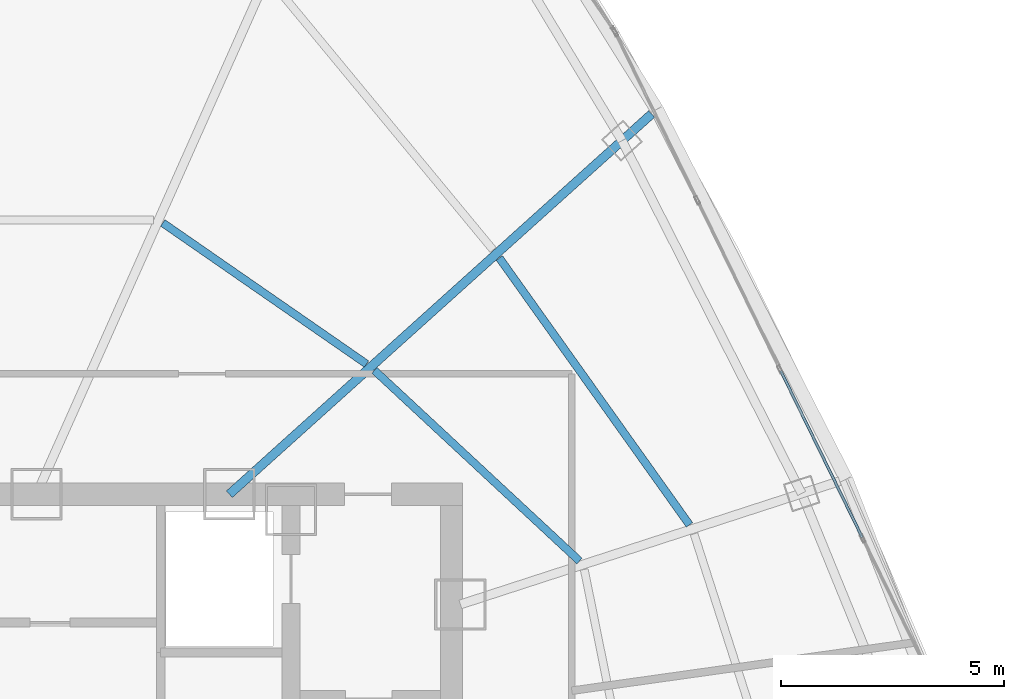
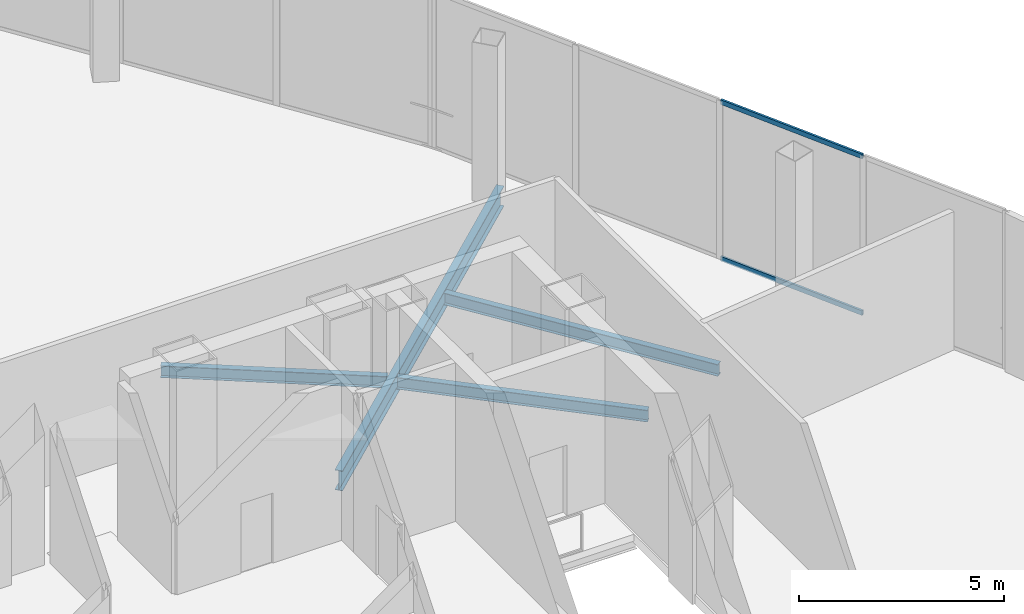
# One storey, part 19 of 32: 4 beams, 2 members, 1 element without a shape of its own.
"""IFC4 building model written with IfcOpenShell, lengths in metres."""

import ifcopenshell
import ifcopenshell.guid

model = None  # the IFC model being written
_history = None  # IfcOwnerHistory: only IFC2X3 demands one
_inside = {}  # id of a spatial element -> (the spatial element, [elements in it])
_under = {}  # id of a project, library or spatial element -> (it, [spatial elements below it])
_declared = {}  # id of a project -> (the project, [libraries it declares])
_typed = {}  # id of a type object -> (the type object, [elements of that type])
_made_of = {}  # id of a material, layer set ... -> (it, [elements and type objects made of it])


def new_model(schema):
    """Start an empty IFC model of exactly this schema.

    Asked for "IFC4X3", IfcOpenShell would pick the latest addendum, in which some entities
    have other attributes; the version numbers below select the first issue.
    IFC2X3 requires an IfcOwnerHistory on every rooted entity: one is made here for all.
    """
    global model, _history
    if schema == "IFC4X3":
        model = ifcopenshell.file(schema_version=(4, 3, 0, 0))
    else:
        model = ifcopenshell.file(schema=schema)
    _inside.clear()
    _under.clear()
    _declared.clear()
    _typed.clear()
    _made_of.clear()
    _history = None
    if model.schema == "IFC2X3":
        org = make("IfcOrganization", Name="unknown")
        user = make(
            "IfcPersonAndOrganization",
            ThePerson=make("IfcPerson", FamilyName="unknown"),
            TheOrganization=org,
        )
        app = make(
            "IfcApplication",
            ApplicationDeveloper=org,
            Version="unknown",
            ApplicationFullName="unknown",
            ApplicationIdentifier="unknown",
        )
        _history = make(
            "IfcOwnerHistory",
            OwningUser=user,
            OwningApplication=app,
            ChangeAction="ADDED",
            CreationDate=0,
        )
    return model


def make(cls, **values):
    """One entity of the class cls with the attributes given. An attribute that is None is left unset."""
    return model.create_entity(
        cls, **{name: value for name, value in values.items() if value is not None}
    )


def rooted(cls, **values):
    """An entity with a GlobalId (a new one), such as an element, a storey or a relation."""
    return make(cls, GlobalId=ifcopenshell.guid.new(), OwnerHistory=_history, **values)


def si_unit(unit_type, name, prefix=None):
    """IfcSIUnit, for example si_unit("LENGTHUNIT", "METRE", prefix="MILLI")."""
    return make("IfcSIUnit", UnitType=unit_type, Prefix=prefix, Name=name)


def assignment(units):
    """IfcUnitAssignment: the units of a project."""
    return None if units is None else make("IfcUnitAssignment", Units=units)


def point(xyz):
    """IfcCartesianPoint."""
    return None if xyz is None else make("IfcCartesianPoint", Coordinates=xyz)


def direction(xyz):
    """IfcDirection."""
    return None if xyz is None else make("IfcDirection", DirectionRatios=xyz)


def frame(location, z_axis=None, x_axis=None):
    """IfcAxis2Placement3D, a coordinate frame: its origin and axes. An axis left out is left unset."""
    return make(
        "IfcAxis2Placement3D",
        Location=point(location),
        Axis=direction(z_axis),
        RefDirection=direction(x_axis),
    )


def frame_2d(location, x_axis=None):
    """IfcAxis2Placement2D, a coordinate frame in the plane: its origin and x axis."""
    return make(
        "IfcAxis2Placement2D", Location=point(location), RefDirection=direction(x_axis)
    )


def origin():
    """The frame at (0, 0, 0) with its axes left unset."""
    return frame((0.0, 0.0, 0.0))


def origin_2d():
    """The frame at (0, 0) in the plane with its x axis left unset."""
    return frame_2d((0.0, 0.0))


def place(relative_to, where):
    """IfcLocalPlacement: puts the frame where relative to a parent placement (None: the world)."""
    return make(
        "IfcLocalPlacement", PlacementRelTo=relative_to, RelativePlacement=where
    )


def context(
    kind, dimensions, precision=None, world=None, true_north=None, identifier=None
):
    """IfcGeometricRepresentationContext, for example the 3D "Model" context."""
    return make(
        "IfcGeometricRepresentationContext",
        ContextIdentifier=identifier,
        ContextType=kind,
        CoordinateSpaceDimension=dimensions,
        Precision=precision,
        WorldCoordinateSystem=world,
        TrueNorth=true_north,
    )


def subcontext(parent, identifier, kind, view, scale=None):
    """IfcGeometricRepresentationSubContext, for example "Body" below "Model"."""
    return make(
        "IfcGeometricRepresentationSubContext",
        ContextIdentifier=identifier,
        ContextType=kind,
        ParentContext=parent,
        TargetScale=scale,
        TargetView=view,
    )


def project(units=None, contexts=None):
    """IfcProject with its units and contexts."""
    return rooted(
        "IfcProject",
        Name="project",
        RepresentationContexts=contexts,
        UnitsInContext=assignment(units),
    )


def spatial(cls, under=None, at=None, **own):
    """A site, building, storey or space (cls), placed at a placement, below another one or the project."""
    s = rooted(cls, ObjectPlacement=at, **own)
    if under is not None:
        _under.setdefault(under.id(), (under, []))[1].append(s)
    return s


def profile(cls, at=None, kind="AREA", **sizes):
    """A parametric profile (cls). Its sizes go by their IFC names, for example OverallWidth=200.0."""
    return make(cls, ProfileType=kind, Position=at, **sizes)


def hollow_rectangle(**sizes):
    """IfcRectangleHollowProfileDef."""
    return profile("IfcRectangleHollowProfileDef", **sizes)


def i_section(**sizes):
    """IfcIShapeProfileDef."""
    return profile("IfcIShapeProfileDef", **sizes)


def extrude(swept, where, along, depth):
    """IfcExtrudedAreaSolid: the profile swept, set in the frame where, extruded along a direction by depth."""
    return make(
        "IfcExtrudedAreaSolid",
        SweptArea=swept,
        Position=where,
        ExtrudedDirection=direction(along),
        Depth=depth,
    )


def shape(context_of_items, identifier, shape_type, items):
    """IfcShapeRepresentation: the items that make up one representation, for example the "Body"."""
    return make(
        "IfcShapeRepresentation",
        ContextOfItems=context_of_items,
        RepresentationIdentifier=identifier,
        RepresentationType=shape_type,
        Items=items,
    )


def source(mapping_origin, context_of_items, identifier, shape_type, items):
    """IfcRepresentationMap: a shape defined once, which mapped items show again and again."""
    return make(
        "IfcRepresentationMap",
        MappingOrigin=mapping_origin,
        MappedRepresentation=shape(context_of_items, identifier, shape_type, items),
    )


def transform(
    local_origin,
    x_axis=None,
    y_axis=None,
    z_axis=None,
    scale=None,
    scale2=None,
    scale3=None,
    uniform=True,
):
    """IfcCartesianTransformationOperator3D, or its non-uniform kind. x_axis, y_axis, z_axis: its Axis1, 2, 3."""
    if uniform:
        return make(
            "IfcCartesianTransformationOperator3D",
            Axis1=direction(x_axis),
            Axis2=direction(y_axis),
            LocalOrigin=point(local_origin),
            Scale=scale,
            Axis3=direction(z_axis),
        )
    return make(
        "IfcCartesianTransformationOperator3DnonUniform",
        Axis1=direction(x_axis),
        Axis2=direction(y_axis),
        LocalOrigin=point(local_origin),
        Scale=scale,
        Axis3=direction(z_axis),
        Scale2=scale2,
        Scale3=scale3,
    )


def mapped(mapping_source, mapping_target):
    """IfcMappedItem: shows the shape of a source again, moved by a transform."""
    return make(
        "IfcMappedItem", MappingSource=mapping_source, MappingTarget=mapping_target
    )


def material(Name=None, Category=None):
    """IfcMaterial."""
    return make("IfcMaterial", Name=Name, Category=Category)


def layer(
    of_material, thickness, ventilated=None, Name=None, Category=None, Priority=None
):
    """IfcMaterialLayer: one layer of a wall or slab, of a material (None: an air gap)."""
    return make(
        "IfcMaterialLayer",
        Material=of_material,
        LayerThickness=thickness,
        IsVentilated=ventilated,
        Name=Name,
        Category=Category,
        Priority=Priority,
    )


def layer_set(layers, Name=None):
    """IfcMaterialLayerSet."""
    return make("IfcMaterialLayerSet", MaterialLayers=layers, LayerSetName=Name)


def material_profile(
    of_material, cross_section, Name=None, Category=None, Priority=None
):
    """IfcMaterialProfile: a cross section and its material."""
    return make(
        "IfcMaterialProfile",
        Name=Name,
        Material=of_material,
        Profile=cross_section,
        Priority=Priority,
        Category=Category,
    )


def profile_set(profiles, Name=None, composite=None):
    """IfcMaterialProfileSet."""
    return make(
        "IfcMaterialProfileSet",
        Name=Name,
        MaterialProfiles=profiles,
        CompositeProfile=composite,
    )


def made_of(thing, what):
    """Note that an element or type object is made of a material, layer set ...; save() writes the relation."""
    if what is not None:
        _made_of.setdefault(what.id(), (what, []))[1].append(thing)
    return thing


def type_object(cls, material=None, **own):
    """A type object (cls), such as IfcWallType, which elements share."""
    return made_of(rooted(cls, **own), material)


def element(
    cls,
    number,
    at=None,
    inside=None,
    cuts=None,
    type_object=None,
    material=None,
    context=None,
    identifier="Body",
    shape_type=None,
    held_by="IfcProductDefinitionShape",
    body=None,
    shapes=None,
    **own,
):
    """One element of the class cls, such as IfcWall. Its Tag is "e" and its number.

    at: its placement. inside: the storey or other place that contains it. cuts: it is an
    opening in that element (IfcRelVoidsElement). A single representation is given by context,
    identifier, shape_type and body (its items); several are given by shapes. held_by: the class
    of the entity that holds the representations. save() writes the other relations.
    """
    e = rooted(cls, Tag="e%d" % number, ObjectPlacement=at, **own)
    if body is not None:
        shapes = [shape(context, identifier, shape_type, body)]
    if shapes is not None:
        e.Representation = make(held_by, Representations=shapes)
    if inside is not None:
        _inside.setdefault(inside.id(), (inside, []))[1].append(e)
    if cuts is not None:
        rooted(
            "IfcRelVoidsElement", RelatingBuildingElement=cuts, RelatedOpeningElement=e
        )
    if type_object is not None:
        _typed.setdefault(type_object.id(), (type_object, []))[1].append(e)
    return made_of(e, material)


def aggregate(whole, parts):
    """IfcRelAggregates: a whole, such as a stair, and the parts it consists of."""
    return rooted("IfcRelAggregates", RelatingObject=whole, RelatedObjects=parts)


def save(model, path):
    """Write the relations noted so far, then the file.

    IfcRelAggregates (storeys below a building ...), IfcRelContainedInSpatialStructure (elements
    in a storey), IfcRelDefinesByType, IfcRelAssociatesMaterial and IfcRelDeclares: one each for
    every whole, place, type object, material and project.
    """
    for whole, parts in _under.values():
        aggregate(whole, parts)
    for where, things in _inside.values():
        rooted(
            "IfcRelContainedInSpatialStructure",
            RelatedElements=things,
            RelatingStructure=where,
        )
    for kind, things in _typed.values():
        rooted("IfcRelDefinesByType", RelatedObjects=things, RelatingType=kind)
    for what, things in _made_of.values():
        rooted("IfcRelAssociatesMaterial", RelatedObjects=things, RelatingMaterial=what)
    for by, libraries in _declared.values():
        rooted("IfcRelDeclares", RelatingContext=by, RelatedDefinitions=libraries)
    model.write(path)


model = new_model("IFC4")

# Units and contexts
model_context = context("Model", 3, precision=1e-05, world=origin(), true_north=direction((0.0, 1.0)))
body_context = subcontext(model_context, "Body", "Model", "MODEL_VIEW")
ifc_project = project(units=[si_unit("LENGTHUNIT", "METRE"), si_unit("AREAUNIT", "SQUARE_METRE"), si_unit("VOLUMEUNIT", "CUBIC_METRE"), si_unit("PLANEANGLEUNIT", "RADIAN"), si_unit("MASSUNIT", "GRAM", prefix="KILO"), si_unit("THERMODYNAMICTEMPERATUREUNIT", "KELVIN"), si_unit("POWERUNIT", "WATT")], contexts=[model_context])

# Site, building, storey
site_placement = place(None, origin())
site = spatial("IfcSite", under=ifc_project, at=site_placement, CompositionType="ELEMENT")
building_placement = place(site_placement, origin())
building = spatial("IfcBuilding", under=site, at=building_placement, Name="Yunzhuo Pagoda Commons", CompositionType="ELEMENT")
storey_placement = place(building_placement, frame((0.0, 0.0, 396.760009765625)))
storey = spatial("IfcBuildingStorey", under=building, at=storey_placement, Name="L98", CompositionType="ELEMENT", Elevation=396.760009765625)

# Beams
ifc_material_1 = material(Name="Structural steel Q355B", Category="steel")
ifc_material_profile_1 = material_profile(ifc_material_1, i_section(OverallWidth=0.175048828125, OverallDepth=0.35009765625, WebThickness=0.007080078125, FlangeThickness=0.010986328125, at=origin_2d()), Name="Structural steel Q355B")
ifc_profile_set_1 = profile_set([ifc_material_profile_1], Name="Structural steel Q355B")
beam_type_1 = type_object("IfcBeamType", Name="B-JS2 Joist HN 350x175x7x11", PredefinedType="JOIST", material=ifc_profile_set_1)
shared_shape_1 = source(origin(), body_context, "Body", "SweptSolid", [
    extrude(i_section(OverallWidth=0.175048828125, OverallDepth=0.35009765625, WebThickness=0.007080078125, FlangeThickness=0.010986328125, at=origin_2d()), origin(), (0.0, 0.0, 1.0), 6.277099609375),
])
beam_1_placement = place(storey_placement, frame((63.071044921875, 38.702392578125, -0.455078125), z_axis=(-0.73244154109, 0.68082992655, 0.0), x_axis=(-0.68082992655, -0.73244154109, 0.0)))
element("IfcBeam", 1, at=beam_1_placement, inside=storey, type_object=beam_type_1, Name="L98 composite ring joist 1.6", PredefinedType="JOIST", context=body_context, shape_type="MappedRepresentation", body=[
    mapped(shared_shape_1, transform((0.0, 0.0, 0.0), scale=1.0)),
])
shared_shape_2 = source(origin(), body_context, "Body", "SweptSolid", [
    extrude(i_section(OverallWidth=0.175048828125, OverallDepth=0.35009765625, WebThickness=0.007080078125, FlangeThickness=0.010986328125, at=origin_2d()), origin(), (0.0, 0.0, 1.0), 7.347900390625),
])
beam_2_placement = place(storey_placement, frame((65.53759765625, 39.513671875, -0.455078125), z_axis=(-0.580294898948, 0.814406428177, 0.0), x_axis=(-0.814406428177, -0.580294898948, 0.0)))
element("IfcBeam", 2, at=beam_2_placement, inside=storey, type_object=beam_type_1, Name="L98 composite ring joist 2.6", PredefinedType="JOIST", context=body_context, shape_type="MappedRepresentation", body=[
    mapped(shared_shape_2, transform((0.0, 0.0, 0.0), scale=1.0)),
])
shared_shape_3 = source(origin(), body_context, "Body", "SweptSolid", [
    extrude(i_section(OverallWidth=0.175048828125, OverallDepth=0.35009765625, WebThickness=0.007080078125, FlangeThickness=0.010986328125, at=origin_2d()), origin(), (0.0, 0.0, 1.0), 5.556640625),
])
beam_3_placement = place(storey_placement, frame((58.29443359375, 43.119873046875, -0.455078125), z_axis=(-0.822084621883, 0.569365326011, 0.0), x_axis=(-0.569365326011, -0.822084621883, 0.0)))
element("IfcBeam", 3, at=beam_3_placement, inside=storey, type_object=beam_type_1, Name="L98 composite ring joist 1.7", PredefinedType="JOIST", context=body_context, shape_type="MappedRepresentation", body=[
    mapped(shared_shape_3, transform((0.0, 0.0, 0.0), scale=1.0)),
])
ifc_material_profile_2 = material_profile(ifc_material_1, i_section(OverallWidth=0.199951171875, OverallDepth=0.60009765625, WebThickness=0.010986328125, FlangeThickness=0.01708984375, at=origin_2d()), Name="Structural steel Q355B")
ifc_profile_set_2 = profile_set([ifc_material_profile_2], Name="Structural steel Q355B")
beam_type_2 = type_object("IfcBeamType", Name="B-RG3 Beam HN 600x200x11x17", PredefinedType="BEAM", material=ifc_profile_set_2)
shared_shape_4 = source(origin(), body_context, "Body", "SweptSolid", [
    extrude(i_section(OverallWidth=0.199951171875, OverallDepth=0.60009765625, WebThickness=0.010986328125, FlangeThickness=0.01708984375, at=origin_2d()), origin(), (0.0, 0.0, 1.0), 12.744140625),
])
beam_4_placement = place(storey_placement, frame((64.689697265625, 48.7275390625, -0.580078125), z_axis=(-0.743139811769, -0.669136174605, 0.0), x_axis=(0.669136174605, -0.743139811769, 0.0)))
element("IfcBeam", 4, at=beam_4_placement, inside=storey, type_object=beam_type_2, Name="L98 radial floor girder F2C3", PredefinedType="BEAM", context=body_context, shape_type="MappedRepresentation", body=[
    mapped(shared_shape_4, transform((0.0, 0.0, 0.0), scale=1.0)),
])

# Curtain wall, members
ifc_material_2 = material(Name="Anodized aluminium 6063-T6", Category="aluminium")
ifc_layer = layer(ifc_material_2, 0.179931640625)
ifc_layer_set = layer_set([ifc_layer], Name="Anodized aluminium 6063-T6")
curtain_wall_type = type_object("IfcCurtainWallType", Name="CW-CRN Crown Gable Glazing System", PredefinedType="NOTDEFINED", material=ifc_layer_set)
curtain_wall_placement = place(storey_placement, origin())
curtain_wall = element("IfcCurtainWall", 5, at=curtain_wall_placement, inside=storey, type_object=curtain_wall_type, Name="L98 curtain wall CW-L98-CRNF2G1", PredefinedType="NOTDEFINED")
ifc_material_profile_3 = material_profile(ifc_material_2, hollow_rectangle(XDim=0.06005859375, YDim=0.139892578125, WallThickness=0.00341796875, at=origin_2d()), Name="Anodized aluminium 6063-T6")
ifc_profile_set_3 = profile_set([ifc_material_profile_3], Name="Anodized aluminium 6063-T6")
member_type = type_object("IfcMemberType", Name="CW-CRN-T Transom RHS 140x60x3.5", PredefinedType="USERDEFINED", material=ifc_profile_set_3)
shared_shape_5 = source(origin(), body_context, "Body", "SweptSolid", [
    extrude(hollow_rectangle(XDim=0.06005859375, YDim=0.139892578125, WallThickness=0.00341796875, at=origin_2d()), origin(), (0.0, 0.0, 1.0), 4.157470703125),
])
member_1_placement = place(storey_placement, frame((69.411376953125, 39.23193359375, 0.030029296875), z_axis=(-0.439374430699, 0.898304018497, 0.0), x_axis=(-0.898304018497, -0.439374430699, 0.0)))
member_1 = element("IfcMember", 6, at=member_1_placement, type_object=member_type, Name="CW transom 2.1", ObjectType="TRANSOM", PredefinedType="USERDEFINED", context=body_context, shape_type="MappedRepresentation", body=[
    mapped(shared_shape_5, transform((0.0, 0.0, 0.0), scale=1.0)),
])
member_2_placement = place(storey_placement, frame((69.411376953125, 39.23193359375, 4.68994140625), z_axis=(-0.439374430699, 0.898304018497, 0.0), x_axis=(-0.898304018497, -0.439374430699, 0.0)))
member_2 = element("IfcMember", 7, at=member_2_placement, type_object=member_type, Name="CW transom 2.2", ObjectType="TRANSOM", PredefinedType="USERDEFINED", context=body_context, shape_type="MappedRepresentation", body=[
    mapped(shared_shape_5, transform((0.0, 0.0, 0.0), scale=1.0)),
])
aggregate(curtain_wall, [member_1, member_2])

save(model, "model.ifc")
